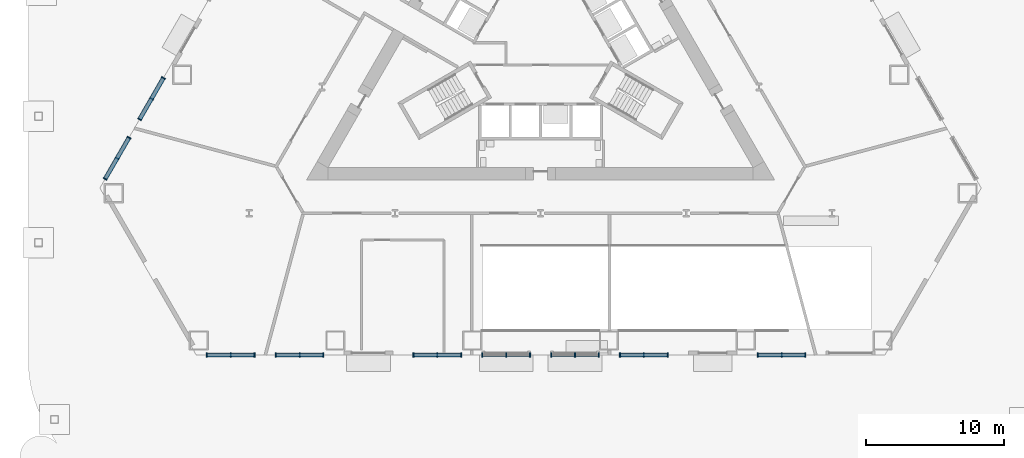
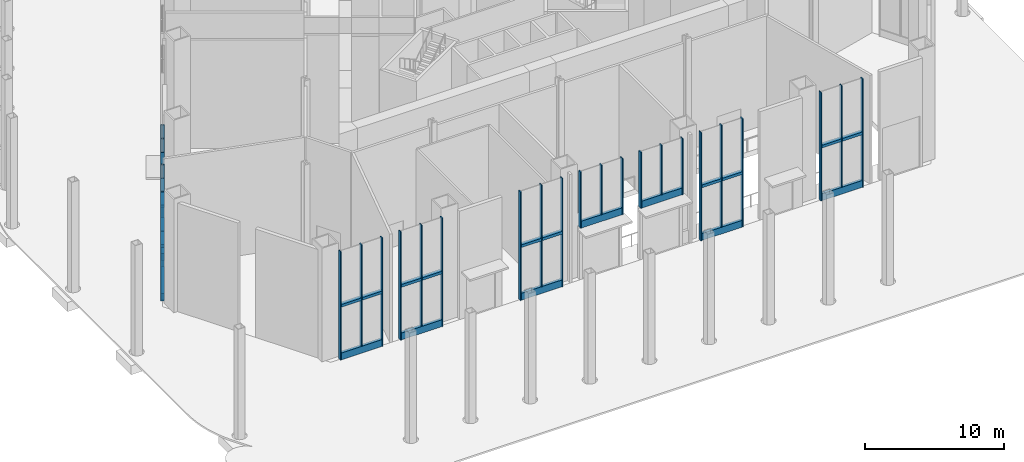
# One storey, part 2 of 18: 50 members, 9 elements without a shape of their own.
"""IFC4 building model written with IfcOpenShell, lengths in metres."""

from ifc_helpers import new_model, si_unit, direction, frame, origin, origin_2d, place, context, subcontext, project, spatial, rectangle, extrude, material, layer, layer_set, material_profile, profile_set, type_object, element, aggregate, save


model = new_model("IFC4")

# Units and contexts
model_context = context("Model", 3, precision=1e-05, world=origin(), true_north=direction((0.0, 1.0)))
body_context = subcontext(model_context, "Body", "Model", "MODEL_VIEW")
ifc_project = project(units=[si_unit("LENGTHUNIT", "METRE"), si_unit("AREAUNIT", "SQUARE_METRE"), si_unit("VOLUMEUNIT", "CUBIC_METRE"), si_unit("PLANEANGLEUNIT", "RADIAN"), si_unit("MASSUNIT", "GRAM", prefix="KILO")], contexts=[model_context])

# Site, building, storey
site_placement = place(None, origin())
site = spatial("IfcSite", under=ifc_project, at=site_placement, CompositionType="ELEMENT")
building_placement = place(site_placement, origin())
building = spatial("IfcBuilding", under=site, at=building_placement, Name="Cormorant Prow Tower", CompositionType="ELEMENT")
storey_placement = place(building_placement, origin())
storey = spatial("IfcBuildingStorey", under=building, at=storey_placement, Name="L00", CompositionType="ELEMENT", Elevation=0.0)

# Curtain wall, members
ifc_material_1 = material(Name="Aluminium 6063-T6", Category="aluminium")
ifc_layer = layer(ifc_material_1, 0.300048828125)
ifc_layer_set = layer_set([ifc_layer], Name="Aluminium 6063-T6")
curtain_wall_type = type_object("IfcCurtainWallType", Name="Concourse unitised curtain wall 300", PredefinedType="NOTDEFINED", material=ifc_layer_set)
curtain_wall_1_placement = place(storey_placement, origin())
curtain_wall_1 = element("IfcCurtainWall", 1, at=curtain_wall_1_placement, inside=storey, type_object=curtain_wall_type, Name="Concourse curtain wall S00", PredefinedType="NOTDEFINED")
ifc_material_2 = material(Name="Aluminium 6063-T6", Category="aluminium")
ifc_material_profile_1 = material_profile(ifc_material_2, rectangle(XDim=0.300048828125, YDim=0.239990234375, at=origin_2d()), Name="Concourse intermediate transom 300x240")
ifc_profile_set_1 = profile_set([ifc_material_profile_1], Name="Aluminium 6063-T6")
member_type_1 = type_object("IfcMemberType", Name="Concourse intermediate transom 300x240", PredefinedType="USERDEFINED", material=ifc_profile_set_1)
member_1_placement = place(storey_placement, frame((-24.18994140625, -22.5166015625, 4.77490234375), z_axis=(1.0, 0.0, 0.0), x_axis=(0.0, 1.0, 0.0)))
member_1 = element("IfcMember", 2, at=member_1_placement, type_object=member_type_1, Name="Concourse intermediate transom S00", ObjectType="TRANSOM", PredefinedType="USERDEFINED", context=body_context, shape_type="SweptSolid", body=[
    extrude(rectangle(XDim=0.300048828125, YDim=0.239990234375, at=origin_2d()), origin(), (0.0, 0.0, 1.0), 1.64990234375),
])
member_2_placement = place(storey_placement, frame((-22.4599609375, -22.5166015625, 4.77490234375), z_axis=(1.0, 0.0, 0.0), x_axis=(0.0, 1.0, 0.0)))
member_2 = element("IfcMember", 3, at=member_2_placement, type_object=member_type_1, Name="Concourse intermediate transom S00", ObjectType="TRANSOM", PredefinedType="USERDEFINED", context=body_context, shape_type="SweptSolid", body=[
    extrude(rectangle(XDim=0.300048828125, YDim=0.239990234375, at=origin_2d()), origin(), (0.0, 0.0, 1.0), 1.64990234375),
])

curtain_wall_2_placement = place(storey_placement, origin())
curtain_wall_2 = element("IfcCurtainWall", 4, at=curtain_wall_2_placement, inside=storey, type_object=curtain_wall_type, Name="Concourse curtain wall S01", PredefinedType="NOTDEFINED")
member_3_placement = place(storey_placement, frame((-19.18994140625, -22.5166015625, 4.77490234375), z_axis=(1.0, 0.0, 0.0), x_axis=(0.0, 1.0, 0.0)))
member_3 = element("IfcMember", 5, at=member_3_placement, type_object=member_type_1, Name="Concourse intermediate transom S01", ObjectType="TRANSOM", PredefinedType="USERDEFINED", context=body_context, shape_type="SweptSolid", body=[
    extrude(rectangle(XDim=0.300048828125, YDim=0.239990234375, at=origin_2d()), origin(), (0.0, 0.0, 1.0), 1.64990234375),
])
member_4_placement = place(storey_placement, frame((-17.4599609375, -22.5166015625, 4.77490234375), z_axis=(1.0, 0.0, 0.0), x_axis=(0.0, 1.0, 0.0)))
member_4 = element("IfcMember", 6, at=member_4_placement, type_object=member_type_1, Name="Concourse intermediate transom S01", ObjectType="TRANSOM", PredefinedType="USERDEFINED", context=body_context, shape_type="SweptSolid", body=[
    extrude(rectangle(XDim=0.300048828125, YDim=0.239990234375, at=origin_2d()), origin(), (0.0, 0.0, 1.0), 1.64990234375),
])

curtain_wall_3_placement = place(storey_placement, origin())
curtain_wall_3 = element("IfcCurtainWall", 7, at=curtain_wall_3_placement, inside=storey, type_object=curtain_wall_type, Name="Concourse curtain wall S03", PredefinedType="NOTDEFINED")
member_5_placement = place(storey_placement, frame((-9.18994140625, -22.5166015625, 4.77490234375), z_axis=(1.0, 0.0, 0.0), x_axis=(0.0, 1.0, 0.0)))
member_5 = element("IfcMember", 8, at=member_5_placement, type_object=member_type_1, Name="Concourse intermediate transom S03", ObjectType="TRANSOM", PredefinedType="USERDEFINED", context=body_context, shape_type="SweptSolid", body=[
    extrude(rectangle(XDim=0.300048828125, YDim=0.239990234375, at=origin_2d()), origin(), (0.0, 0.0, 1.0), 1.64990234375),
])
member_6_placement = place(storey_placement, frame((-7.4599609375, -22.5166015625, 4.77490234375), z_axis=(1.0, 0.0, 0.0), x_axis=(0.0, 1.0, 0.0)))
member_6 = element("IfcMember", 9, at=member_6_placement, type_object=member_type_1, Name="Concourse intermediate transom S03", ObjectType="TRANSOM", PredefinedType="USERDEFINED", context=body_context, shape_type="SweptSolid", body=[
    extrude(rectangle(XDim=0.300048828125, YDim=0.239990234375, at=origin_2d()), origin(), (0.0, 0.0, 1.0), 1.64990234375),
])

curtain_wall_4_placement = place(storey_placement, origin())
curtain_wall_4 = element("IfcCurtainWall", 10, at=curtain_wall_4_placement, inside=storey, type_object=curtain_wall_type, Name="Concourse curtain wall S06", PredefinedType="NOTDEFINED")
member_7_placement = place(storey_placement, frame((5.81005859375, -22.5166015625, 4.77490234375), z_axis=(1.0, 0.0, 0.0), x_axis=(0.0, 1.0, 0.0)))
member_7 = element("IfcMember", 11, at=member_7_placement, type_object=member_type_1, Name="Concourse intermediate transom S06", ObjectType="TRANSOM", PredefinedType="USERDEFINED", context=body_context, shape_type="SweptSolid", body=[
    extrude(rectangle(XDim=0.300048828125, YDim=0.239990234375, at=origin_2d()), origin(), (0.0, 0.0, 1.0), 1.64990234375),
])
member_8_placement = place(storey_placement, frame((7.5400390625, -22.5166015625, 4.77490234375), z_axis=(1.0, 0.0, 0.0), x_axis=(0.0, 1.0, 0.0)))
member_8 = element("IfcMember", 12, at=member_8_placement, type_object=member_type_1, Name="Concourse intermediate transom S06", ObjectType="TRANSOM", PredefinedType="USERDEFINED", context=body_context, shape_type="SweptSolid", body=[
    extrude(rectangle(XDim=0.300048828125, YDim=0.239990234375, at=origin_2d()), origin(), (0.0, 0.0, 1.0), 1.64990234375),
])

curtain_wall_5_placement = place(storey_placement, origin())
curtain_wall_5 = element("IfcCurtainWall", 13, at=curtain_wall_5_placement, inside=storey, type_object=curtain_wall_type, Name="Concourse curtain wall S08", PredefinedType="NOTDEFINED")
member_9_placement = place(storey_placement, frame((15.81005859375, -22.5166015625, 4.77490234375), z_axis=(1.0, 0.0, 0.0), x_axis=(0.0, 1.0, 0.0)))
member_9 = element("IfcMember", 14, at=member_9_placement, type_object=member_type_1, Name="Concourse intermediate transom S08", ObjectType="TRANSOM", PredefinedType="USERDEFINED", context=body_context, shape_type="SweptSolid", body=[
    extrude(rectangle(XDim=0.300048828125, YDim=0.239990234375, at=origin_2d()), origin(), (0.0, 0.0, 1.0), 1.64990234375),
])
member_10_placement = place(storey_placement, frame((17.5400390625, -22.5166015625, 4.77490234375), z_axis=(1.0, 0.0, 0.0), x_axis=(0.0, 1.0, 0.0)))
member_10 = element("IfcMember", 15, at=member_10_placement, type_object=member_type_1, Name="Concourse intermediate transom S08", ObjectType="TRANSOM", PredefinedType="USERDEFINED", context=body_context, shape_type="SweptSolid", body=[
    extrude(rectangle(XDim=0.300048828125, YDim=0.239990234375, at=origin_2d()), origin(), (0.0, 0.0, 1.0), 1.64990234375),
])

curtain_wall_6_placement = place(storey_placement, origin())
curtain_wall_6 = element("IfcCurtainWall", 16, at=curtain_wall_6_placement, inside=storey, type_object=curtain_wall_type, Name="Concourse curtain wall WNW08", PredefinedType="NOTDEFINED")
member_11_placement = place(storey_placement, frame((-27.405029296875, -2.43359375, 4.77490234375), z_axis=(-0.499974350878, -0.866040211805, 0.0), x_axis=(0.866040211805, -0.499974350878, 0.0)))
member_11 = element("IfcMember", 17, at=member_11_placement, type_object=member_type_1, Name="Concourse intermediate transom WNW08", ObjectType="TRANSOM", PredefinedType="USERDEFINED", context=body_context, shape_type="SweptSolid", body=[
    extrude(rectangle(XDim=0.300048828125, YDim=0.239990234375, at=origin_2d()), origin(), (0.0, 0.0, 1.0), 1.64990234375),
])
member_12_placement = place(storey_placement, frame((-28.27001953125, -3.931640625, 4.77490234375), z_axis=(-0.499974350878, -0.866040211805, 0.0), x_axis=(0.866040211805, -0.499974350878, 0.0)))
member_12 = element("IfcMember", 18, at=member_12_placement, type_object=member_type_1, Name="Concourse intermediate transom WNW08", ObjectType="TRANSOM", PredefinedType="USERDEFINED", context=body_context, shape_type="SweptSolid", body=[
    extrude(rectangle(XDim=0.300048828125, YDim=0.239990234375, at=origin_2d()), origin(), (0.0, 0.0, 1.0), 1.64990234375),
])

curtain_wall_7_placement = place(storey_placement, origin())
curtain_wall_7 = element("IfcCurtainWall", 19, at=curtain_wall_7_placement, inside=storey, type_object=curtain_wall_type, Name="Concourse curtain wall WNW09", PredefinedType="NOTDEFINED")
member_13_placement = place(storey_placement, frame((-29.905029296875, -6.763671875, 4.77490234375), z_axis=(-0.499974350878, -0.866040211805, 0.0), x_axis=(0.866040211805, -0.499974350878, 0.0)))
member_13 = element("IfcMember", 20, at=member_13_placement, type_object=member_type_1, Name="Concourse intermediate transom WNW09", ObjectType="TRANSOM", PredefinedType="USERDEFINED", context=body_context, shape_type="SweptSolid", body=[
    extrude(rectangle(XDim=0.300048828125, YDim=0.239990234375, at=origin_2d()), origin(), (0.0, 0.0, 1.0), 1.64990234375),
])
member_14_placement = place(storey_placement, frame((-30.77001953125, -8.261962890625, 4.77490234375), z_axis=(-0.499974350878, -0.866040211805, 0.0), x_axis=(0.866040211805, -0.499974350878, 0.0)))
member_14 = element("IfcMember", 21, at=member_14_placement, type_object=member_type_1, Name="Concourse intermediate transom WNW09", ObjectType="TRANSOM", PredefinedType="USERDEFINED", context=body_context, shape_type="SweptSolid", body=[
    extrude(rectangle(XDim=0.300048828125, YDim=0.239990234375, at=origin_2d()), origin(), (0.0, 0.0, 1.0), 1.64990234375),
])

# Member
ifc_material_3 = material(Name="Aluminium 6063-T6", Category="aluminium")
ifc_material_profile_2 = material_profile(ifc_material_3, rectangle(XDim=0.300048828125, YDim=0.080078125, at=origin_2d()), Name="Concourse mullion 80x300")
ifc_profile_set_2 = profile_set([ifc_material_profile_2], Name="Aluminium 6063-T6")
member_type_2 = type_object("IfcMemberType", Name="Concourse mullion 80x300", PredefinedType="MULLION", material=ifc_profile_set_2)
member_15_placement = place(storey_placement, frame((-24.22998046875, -22.5166015625, 0.0), z_axis=(0.0, 0.0, 1.0), x_axis=(0.0, 1.0, 0.0)))
member_15 = element("IfcMember", 22, at=member_15_placement, type_object=member_type_2, Name="Concourse mullion S00", PredefinedType="MULLION", context=body_context, shape_type="SweptSolid", body=[
    extrude(rectangle(XDim=0.300048828125, YDim=0.080078125, at=origin_2d()), origin(), (0.0, 0.0, 1.0), 9.550048828125),
])

member_16_placement = place(storey_placement, frame((-22.5, -22.5166015625, 0.60009765625), z_axis=(0.0, 0.0, 1.0), x_axis=(0.0, 1.0, 0.0)))
member_16 = element("IfcMember", 23, at=member_16_placement, type_object=member_type_2, Name="Concourse mullion S00", PredefinedType="MULLION", context=body_context, shape_type="SweptSolid", body=[
    extrude(rectangle(XDim=0.300048828125, YDim=0.080078125, at=origin_2d()), origin(), (0.0, 0.0, 1.0), 8.949951171875),
])

member_17_placement = place(storey_placement, frame((-20.77001953125, -22.5166015625, 0.0), z_axis=(0.0, 0.0, 1.0), x_axis=(0.0, 1.0, 0.0)))
member_17 = element("IfcMember", 24, at=member_17_placement, type_object=member_type_2, Name="Concourse mullion S00", PredefinedType="MULLION", context=body_context, shape_type="SweptSolid", body=[
    extrude(rectangle(XDim=0.300048828125, YDim=0.080078125, at=origin_2d()), origin(), (0.0, 0.0, 1.0), 9.550048828125),
])

member_18_placement = place(storey_placement, frame((-19.22998046875, -22.5166015625, 0.0), z_axis=(0.0, 0.0, 1.0), x_axis=(0.0, 1.0, 0.0)))
member_18 = element("IfcMember", 25, at=member_18_placement, type_object=member_type_2, Name="Concourse mullion S01", PredefinedType="MULLION", context=body_context, shape_type="SweptSolid", body=[
    extrude(rectangle(XDim=0.300048828125, YDim=0.080078125, at=origin_2d()), origin(), (0.0, 0.0, 1.0), 9.550048828125),
])

member_19_placement = place(storey_placement, frame((-17.5, -22.5166015625, 0.60009765625), z_axis=(0.0, 0.0, 1.0), x_axis=(0.0, 1.0, 0.0)))
member_19 = element("IfcMember", 26, at=member_19_placement, type_object=member_type_2, Name="Concourse mullion S01", PredefinedType="MULLION", context=body_context, shape_type="SweptSolid", body=[
    extrude(rectangle(XDim=0.300048828125, YDim=0.080078125, at=origin_2d()), origin(), (0.0, 0.0, 1.0), 8.949951171875),
])

member_20_placement = place(storey_placement, frame((-15.77001953125, -22.5166015625, 0.0), z_axis=(0.0, 0.0, 1.0), x_axis=(0.0, 1.0, 0.0)))
member_20 = element("IfcMember", 27, at=member_20_placement, type_object=member_type_2, Name="Concourse mullion S01", PredefinedType="MULLION", context=body_context, shape_type="SweptSolid", body=[
    extrude(rectangle(XDim=0.300048828125, YDim=0.080078125, at=origin_2d()), origin(), (0.0, 0.0, 1.0), 9.550048828125),
])

member_21_placement = place(storey_placement, frame((-9.22998046875, -22.5166015625, 0.0), z_axis=(0.0, 0.0, 1.0), x_axis=(0.0, 1.0, 0.0)))
member_21 = element("IfcMember", 28, at=member_21_placement, type_object=member_type_2, Name="Concourse mullion S03", PredefinedType="MULLION", context=body_context, shape_type="SweptSolid", body=[
    extrude(rectangle(XDim=0.300048828125, YDim=0.080078125, at=origin_2d()), origin(), (0.0, 0.0, 1.0), 9.550048828125),
])

member_22_placement = place(storey_placement, frame((-7.5, -22.5166015625, 0.60009765625), z_axis=(0.0, 0.0, 1.0), x_axis=(0.0, 1.0, 0.0)))
member_22 = element("IfcMember", 29, at=member_22_placement, type_object=member_type_2, Name="Concourse mullion S03", PredefinedType="MULLION", context=body_context, shape_type="SweptSolid", body=[
    extrude(rectangle(XDim=0.300048828125, YDim=0.080078125, at=origin_2d()), origin(), (0.0, 0.0, 1.0), 8.949951171875),
])

member_23_placement = place(storey_placement, frame((-5.77001953125, -22.5166015625, 0.0), z_axis=(0.0, 0.0, 1.0), x_axis=(0.0, 1.0, 0.0)))
member_23 = element("IfcMember", 30, at=member_23_placement, type_object=member_type_2, Name="Concourse mullion S03", PredefinedType="MULLION", context=body_context, shape_type="SweptSolid", body=[
    extrude(rectangle(XDim=0.300048828125, YDim=0.080078125, at=origin_2d()), origin(), (0.0, 0.0, 1.0), 9.550048828125),
])

# Curtain wall, members
curtain_wall_8_placement = place(storey_placement, origin())
curtain_wall_8 = element("IfcCurtainWall", 31, at=curtain_wall_8_placement, inside=storey, type_object=curtain_wall_type, Name="Concourse curtain wall S04", PredefinedType="NOTDEFINED")
member_24_placement = place(storey_placement, frame((-4.22998046875, -22.5166015625, 4.60009765625), z_axis=(0.0, 0.0, 1.0), x_axis=(0.0, 1.0, 0.0)))
member_24 = element("IfcMember", 32, at=member_24_placement, type_object=member_type_2, Name="Concourse mullion S04", PredefinedType="MULLION", context=body_context, shape_type="SweptSolid", body=[
    extrude(rectangle(XDim=0.300048828125, YDim=0.080078125, at=origin_2d()), origin(), (0.0, 0.0, 1.0), 4.949951171875),
])
member_25_placement = place(storey_placement, frame((-2.5, -22.5166015625, 5.199951171875), z_axis=(0.0, 0.0, 1.0), x_axis=(0.0, 1.0, 0.0)))
member_25 = element("IfcMember", 33, at=member_25_placement, type_object=member_type_2, Name="Concourse mullion S04", PredefinedType="MULLION", context=body_context, shape_type="SweptSolid", body=[
    extrude(rectangle(XDim=0.300048828125, YDim=0.080078125, at=origin_2d()), origin(), (0.0, 0.0, 1.0), 4.35009765625),
])
member_26_placement = place(storey_placement, frame((-0.77001953125, -22.5166015625, 4.60009765625), z_axis=(0.0, 0.0, 1.0), x_axis=(0.0, 1.0, 0.0)))
member_26 = element("IfcMember", 34, at=member_26_placement, type_object=member_type_2, Name="Concourse mullion S04", PredefinedType="MULLION", context=body_context, shape_type="SweptSolid", body=[
    extrude(rectangle(XDim=0.300048828125, YDim=0.080078125, at=origin_2d()), origin(), (0.0, 0.0, 1.0), 4.949951171875),
])

curtain_wall_9_placement = place(storey_placement, origin())
curtain_wall_9 = element("IfcCurtainWall", 35, at=curtain_wall_9_placement, inside=storey, type_object=curtain_wall_type, Name="Concourse curtain wall S05", PredefinedType="NOTDEFINED")
member_27_placement = place(storey_placement, frame((0.77001953125, -22.5166015625, 4.60009765625), z_axis=(0.0, 0.0, 1.0), x_axis=(0.0, 1.0, 0.0)))
member_27 = element("IfcMember", 36, at=member_27_placement, type_object=member_type_2, Name="Concourse mullion S05", PredefinedType="MULLION", context=body_context, shape_type="SweptSolid", body=[
    extrude(rectangle(XDim=0.300048828125, YDim=0.080078125, at=origin_2d()), origin(), (0.0, 0.0, 1.0), 4.949951171875),
])
member_28_placement = place(storey_placement, frame((2.5, -22.5166015625, 5.199951171875), z_axis=(0.0, 0.0, 1.0), x_axis=(0.0, 1.0, 0.0)))
member_28 = element("IfcMember", 37, at=member_28_placement, type_object=member_type_2, Name="Concourse mullion S05", PredefinedType="MULLION", context=body_context, shape_type="SweptSolid", body=[
    extrude(rectangle(XDim=0.300048828125, YDim=0.080078125, at=origin_2d()), origin(), (0.0, 0.0, 1.0), 4.35009765625),
])
member_29_placement = place(storey_placement, frame((4.22998046875, -22.5166015625, 4.60009765625), z_axis=(0.0, 0.0, 1.0), x_axis=(0.0, 1.0, 0.0)))
member_29 = element("IfcMember", 38, at=member_29_placement, type_object=member_type_2, Name="Concourse mullion S05", PredefinedType="MULLION", context=body_context, shape_type="SweptSolid", body=[
    extrude(rectangle(XDim=0.300048828125, YDim=0.080078125, at=origin_2d()), origin(), (0.0, 0.0, 1.0), 4.949951171875),
])

# Member
member_30_placement = place(storey_placement, frame((5.77001953125, -22.5166015625, 0.0), z_axis=(0.0, 0.0, 1.0), x_axis=(0.0, 1.0, 0.0)))
member_30 = element("IfcMember", 39, at=member_30_placement, type_object=member_type_2, Name="Concourse mullion S06", PredefinedType="MULLION", context=body_context, shape_type="SweptSolid", body=[
    extrude(rectangle(XDim=0.300048828125, YDim=0.080078125, at=origin_2d()), origin(), (0.0, 0.0, 1.0), 9.550048828125),
])

member_31_placement = place(storey_placement, frame((7.5, -22.5166015625, 0.60009765625), z_axis=(0.0, 0.0, 1.0), x_axis=(0.0, 1.0, 0.0)))
member_31 = element("IfcMember", 40, at=member_31_placement, type_object=member_type_2, Name="Concourse mullion S06", PredefinedType="MULLION", context=body_context, shape_type="SweptSolid", body=[
    extrude(rectangle(XDim=0.300048828125, YDim=0.080078125, at=origin_2d()), origin(), (0.0, 0.0, 1.0), 8.949951171875),
])

member_32_placement = place(storey_placement, frame((9.22998046875, -22.5166015625, 0.0), z_axis=(0.0, 0.0, 1.0), x_axis=(0.0, 1.0, 0.0)))
member_32 = element("IfcMember", 41, at=member_32_placement, type_object=member_type_2, Name="Concourse mullion S06", PredefinedType="MULLION", context=body_context, shape_type="SweptSolid", body=[
    extrude(rectangle(XDim=0.300048828125, YDim=0.080078125, at=origin_2d()), origin(), (0.0, 0.0, 1.0), 9.550048828125),
])

member_33_placement = place(storey_placement, frame((15.77001953125, -22.5166015625, 0.0), z_axis=(0.0, 0.0, 1.0), x_axis=(0.0, 1.0, 0.0)))
member_33 = element("IfcMember", 42, at=member_33_placement, type_object=member_type_2, Name="Concourse mullion S08", PredefinedType="MULLION", context=body_context, shape_type="SweptSolid", body=[
    extrude(rectangle(XDim=0.300048828125, YDim=0.080078125, at=origin_2d()), origin(), (0.0, 0.0, 1.0), 9.550048828125),
])

member_34_placement = place(storey_placement, frame((17.5, -22.5166015625, 0.60009765625), z_axis=(0.0, 0.0, 1.0), x_axis=(0.0, 1.0, 0.0)))
member_34 = element("IfcMember", 43, at=member_34_placement, type_object=member_type_2, Name="Concourse mullion S08", PredefinedType="MULLION", context=body_context, shape_type="SweptSolid", body=[
    extrude(rectangle(XDim=0.300048828125, YDim=0.080078125, at=origin_2d()), origin(), (0.0, 0.0, 1.0), 8.949951171875),
])

member_35_placement = place(storey_placement, frame((19.22998046875, -22.5166015625, 0.0), z_axis=(0.0, 0.0, 1.0), x_axis=(0.0, 1.0, 0.0)))
member_35 = element("IfcMember", 44, at=member_35_placement, type_object=member_type_2, Name="Concourse mullion S08", PredefinedType="MULLION", context=body_context, shape_type="SweptSolid", body=[
    extrude(rectangle(XDim=0.300048828125, YDim=0.080078125, at=origin_2d()), origin(), (0.0, 0.0, 1.0), 9.550048828125),
])

member_36_placement = place(storey_placement, frame((-27.385009765625, -2.39892578125, 0.0), z_axis=(0.0, 0.0, 1.0), x_axis=(0.866025402842, -0.500000001632, 0.0)))
member_36 = element("IfcMember", 45, at=member_36_placement, type_object=member_type_2, Name="Concourse mullion WNW08", PredefinedType="MULLION", context=body_context, shape_type="SweptSolid", body=[
    extrude(rectangle(XDim=0.300048828125, YDim=0.080078125, at=origin_2d()), origin(), (0.0, 0.0, 1.0), 9.550048828125),
])

member_37_placement = place(storey_placement, frame((-28.25, -3.897216796875, 0.60009765625), z_axis=(0.0, 0.0, 1.0), x_axis=(0.866025402842, -0.500000001632, 0.0)))
member_37 = element("IfcMember", 46, at=member_37_placement, type_object=member_type_2, Name="Concourse mullion WNW08", PredefinedType="MULLION", context=body_context, shape_type="SweptSolid", body=[
    extrude(rectangle(XDim=0.300048828125, YDim=0.080078125, at=origin_2d()), origin(), (0.0, 0.0, 1.0), 8.949951171875),
])

member_38_placement = place(storey_placement, frame((-29.114990234375, -5.395263671875, 0.0), z_axis=(0.0, 0.0, 1.0), x_axis=(0.866025402842, -0.500000001632, 0.0)))
member_38 = element("IfcMember", 47, at=member_38_placement, type_object=member_type_2, Name="Concourse mullion WNW08", PredefinedType="MULLION", context=body_context, shape_type="SweptSolid", body=[
    extrude(rectangle(XDim=0.300048828125, YDim=0.080078125, at=origin_2d()), origin(), (0.0, 0.0, 1.0), 9.550048828125),
])

member_39_placement = place(storey_placement, frame((-29.885009765625, -6.72900390625, 0.0), z_axis=(0.0, 0.0, 1.0), x_axis=(0.866025402842, -0.500000001632, 0.0)))
member_39 = element("IfcMember", 48, at=member_39_placement, type_object=member_type_2, Name="Concourse mullion WNW09", PredefinedType="MULLION", context=body_context, shape_type="SweptSolid", body=[
    extrude(rectangle(XDim=0.300048828125, YDim=0.080078125, at=origin_2d()), origin(), (0.0, 0.0, 1.0), 9.550048828125),
])

member_40_placement = place(storey_placement, frame((-30.75, -8.227294921875, 0.60009765625), z_axis=(0.0, 0.0, 1.0), x_axis=(0.866025402842, -0.500000001632, 0.0)))
member_40 = element("IfcMember", 49, at=member_40_placement, type_object=member_type_2, Name="Concourse mullion WNW09", PredefinedType="MULLION", context=body_context, shape_type="SweptSolid", body=[
    extrude(rectangle(XDim=0.300048828125, YDim=0.080078125, at=origin_2d()), origin(), (0.0, 0.0, 1.0), 8.949951171875),
])

member_41_placement = place(storey_placement, frame((-31.614990234375, -9.7255859375, 0.0), z_axis=(0.0, 0.0, 1.0), x_axis=(0.866025402842, -0.500000001632, 0.0)))
member_41 = element("IfcMember", 50, at=member_41_placement, type_object=member_type_2, Name="Concourse mullion WNW09", PredefinedType="MULLION", context=body_context, shape_type="SweptSolid", body=[
    extrude(rectangle(XDim=0.300048828125, YDim=0.080078125, at=origin_2d()), origin(), (0.0, 0.0, 1.0), 9.550048828125),
])

ifc_material_4 = material(Name="Terracotta", Category="masonry")
ifc_material_profile_3 = material_profile(ifc_material_4, rectangle(XDim=0.239990234375, YDim=0.60009765625, at=origin_2d()), Name="Concourse terracotta spandrel rail 240x600")
ifc_profile_set_3 = profile_set([ifc_material_profile_3], Name="Terracotta")
member_type_3 = type_object("IfcMemberType", Name="Concourse terracotta spandrel rail 240x600", PredefinedType="USERDEFINED", material=ifc_profile_set_3)
member_42_placement = place(storey_placement, frame((-24.18994140625, -22.5166015625, 0.300048828125), z_axis=(1.0, 0.0, 0.0), x_axis=(0.0, 1.0, 0.0)))
member_42 = element("IfcMember", 51, at=member_42_placement, type_object=member_type_3, Name="Concourse spandrel rail S00", ObjectType="TRANSOM", PredefinedType="USERDEFINED", context=body_context, shape_type="SweptSolid", body=[
    extrude(rectangle(XDim=0.239990234375, YDim=0.60009765625, at=origin_2d()), origin(), (0.0, 0.0, 1.0), 3.3798828125),
])

aggregate(curtain_wall_1, [member_15, member_16, member_17, member_42, member_1, member_2])

member_43_placement = place(storey_placement, frame((-19.18994140625, -22.5166015625, 0.300048828125), z_axis=(1.0, 0.0, 0.0), x_axis=(0.0, 1.0, 0.0)))
member_43 = element("IfcMember", 52, at=member_43_placement, type_object=member_type_3, Name="Concourse spandrel rail S01", ObjectType="TRANSOM", PredefinedType="USERDEFINED", context=body_context, shape_type="SweptSolid", body=[
    extrude(rectangle(XDim=0.239990234375, YDim=0.60009765625, at=origin_2d()), origin(), (0.0, 0.0, 1.0), 3.3798828125),
])

aggregate(curtain_wall_2, [member_18, member_19, member_20, member_43, member_3, member_4])

member_44_placement = place(storey_placement, frame((-9.18994140625, -22.5166015625, 0.300048828125), z_axis=(1.0, 0.0, 0.0), x_axis=(0.0, 1.0, 0.0)))
member_44 = element("IfcMember", 53, at=member_44_placement, type_object=member_type_3, Name="Concourse spandrel rail S03", ObjectType="TRANSOM", PredefinedType="USERDEFINED", context=body_context, shape_type="SweptSolid", body=[
    extrude(rectangle(XDim=0.239990234375, YDim=0.60009765625, at=origin_2d()), origin(), (0.0, 0.0, 1.0), 3.3798828125),
])

aggregate(curtain_wall_3, [member_21, member_22, member_23, member_44, member_5, member_6])

member_45_placement = place(storey_placement, frame((-4.18994140625, -22.5166015625, 4.89990234375), z_axis=(1.0, 0.0, 0.0), x_axis=(0.0, 1.0, 0.0)))
member_45 = element("IfcMember", 54, at=member_45_placement, type_object=member_type_3, Name="Concourse spandrel rail S04", ObjectType="TRANSOM", PredefinedType="USERDEFINED", context=body_context, shape_type="SweptSolid", body=[
    extrude(rectangle(XDim=0.239990234375, YDim=0.60009765625, at=origin_2d()), origin(), (0.0, 0.0, 1.0), 3.3798828125),
])

aggregate(curtain_wall_8, [member_24, member_25, member_26, member_45])

member_46_placement = place(storey_placement, frame((0.81005859375, -22.5166015625, 4.89990234375), z_axis=(1.0, 0.0, 0.0), x_axis=(0.0, 1.0, 0.0)))
member_46 = element("IfcMember", 55, at=member_46_placement, type_object=member_type_3, Name="Concourse spandrel rail S05", ObjectType="TRANSOM", PredefinedType="USERDEFINED", context=body_context, shape_type="SweptSolid", body=[
    extrude(rectangle(XDim=0.239990234375, YDim=0.60009765625, at=origin_2d()), origin(), (0.0, 0.0, 1.0), 3.3798828125),
])

aggregate(curtain_wall_9, [member_27, member_28, member_29, member_46])

member_47_placement = place(storey_placement, frame((5.81005859375, -22.5166015625, 0.300048828125), z_axis=(1.0, 0.0, 0.0), x_axis=(0.0, 1.0, 0.0)))
member_47 = element("IfcMember", 56, at=member_47_placement, type_object=member_type_3, Name="Concourse spandrel rail S06", ObjectType="TRANSOM", PredefinedType="USERDEFINED", context=body_context, shape_type="SweptSolid", body=[
    extrude(rectangle(XDim=0.239990234375, YDim=0.60009765625, at=origin_2d()), origin(), (0.0, 0.0, 1.0), 3.3798828125),
])

aggregate(curtain_wall_4, [member_30, member_31, member_32, member_47, member_7, member_8])

member_48_placement = place(storey_placement, frame((15.81005859375, -22.5166015625, 0.300048828125), z_axis=(1.0, 0.0, 0.0), x_axis=(0.0, 1.0, 0.0)))
member_48 = element("IfcMember", 57, at=member_48_placement, type_object=member_type_3, Name="Concourse spandrel rail S08", ObjectType="TRANSOM", PredefinedType="USERDEFINED", context=body_context, shape_type="SweptSolid", body=[
    extrude(rectangle(XDim=0.239990234375, YDim=0.60009765625, at=origin_2d()), origin(), (0.0, 0.0, 1.0), 3.3798828125),
])

aggregate(curtain_wall_5, [member_33, member_34, member_35, member_48, member_9, member_10])

member_49_placement = place(storey_placement, frame((-27.405029296875, -2.43359375, 0.300048828125), z_axis=(-0.500007997579, -0.866020786331, 0.0), x_axis=(0.866020786331, -0.500007997579, 0.0)))
member_49 = element("IfcMember", 58, at=member_49_placement, type_object=member_type_3, Name="Concourse spandrel rail WNW08", ObjectType="TRANSOM", PredefinedType="USERDEFINED", context=body_context, shape_type="SweptSolid", body=[
    extrude(rectangle(XDim=0.239990234375, YDim=0.60009765625, at=origin_2d()), origin(), (0.0, 0.0, 1.0), 3.3798828125),
])

aggregate(curtain_wall_6, [member_36, member_37, member_38, member_49, member_11, member_12])

member_50_placement = place(storey_placement, frame((-29.905029296875, -6.763671875, 0.300048828125), z_axis=(-0.499976720371, -0.866038843867, 0.0), x_axis=(0.866038843867, -0.499976720371, 0.0)))
member_50 = element("IfcMember", 59, at=member_50_placement, type_object=member_type_3, Name="Concourse spandrel rail WNW09", ObjectType="TRANSOM", PredefinedType="USERDEFINED", context=body_context, shape_type="SweptSolid", body=[
    extrude(rectangle(XDim=0.239990234375, YDim=0.60009765625, at=origin_2d()), origin(), (0.0, 0.0, 1.0), 3.380126953125),
])

aggregate(curtain_wall_7, [member_39, member_40, member_41, member_50, member_13, member_14])

save(model, "model.ifc")
